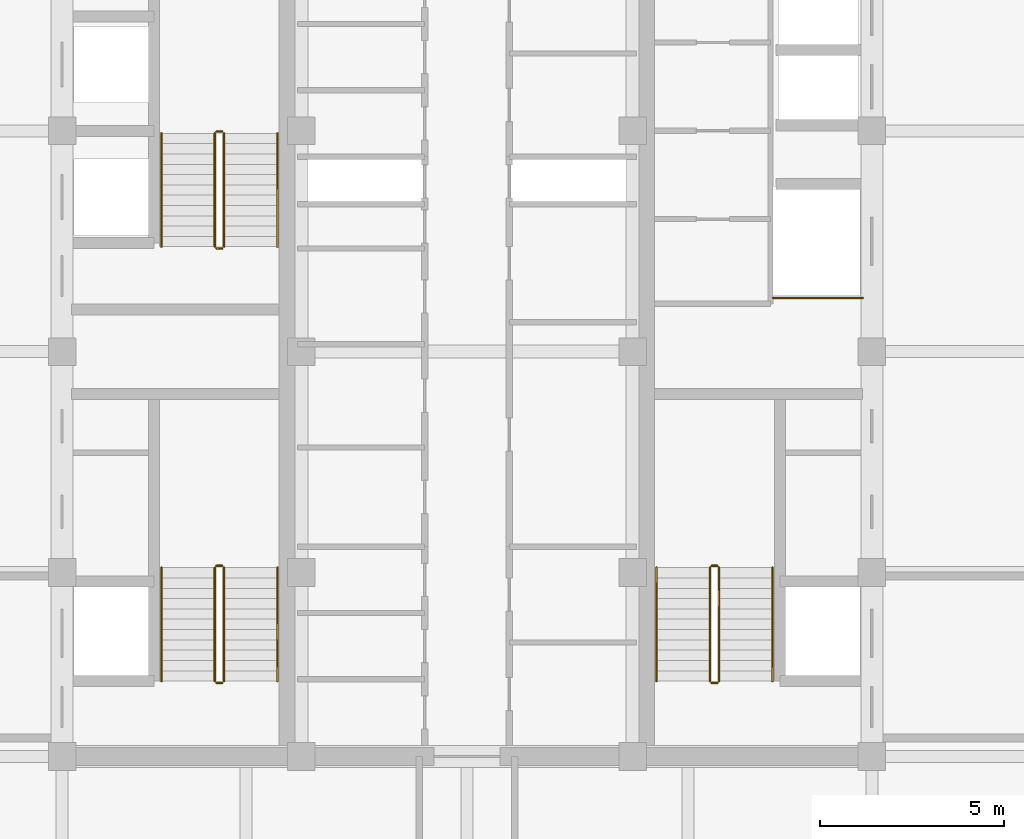
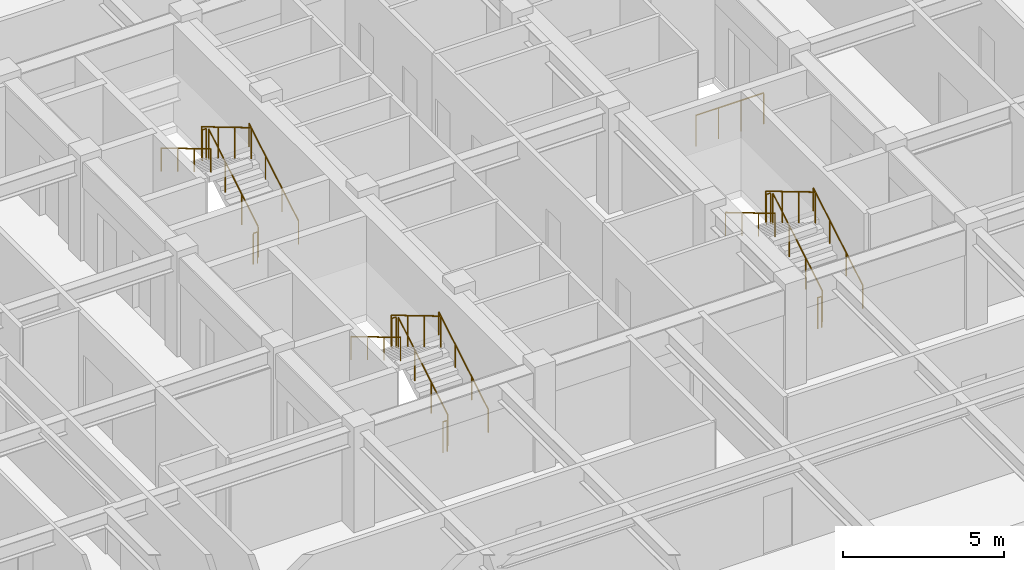
# One storey, part 29 of 29: 19 railings.
"""IFC4 building model written with IfcOpenShell, lengths in metres."""

from ifc_helpers import new_model, si_unit, direction, frame, origin, origin_2d, place, context, subcontext, project, spatial, circle, extrude, source, transform, mapped, material, type_object, element, save


model = new_model("IFC4")

# Units and contexts
model_context = context("Model", 3, precision=1e-05, world=origin(), true_north=direction((0.0, 1.0)))
body_context = subcontext(model_context, "Body", "Model", "MODEL_VIEW")
ifc_project = project(units=[si_unit("LENGTHUNIT", "METRE"), si_unit("AREAUNIT", "SQUARE_METRE"), si_unit("VOLUMEUNIT", "CUBIC_METRE"), si_unit("PLANEANGLEUNIT", "RADIAN"), si_unit("MASSUNIT", "GRAM", prefix="KILO")], contexts=[model_context])

# Site, building, storey
site_placement = place(None, origin())
site = spatial("IfcSite", under=ifc_project, at=site_placement, CompositionType="ELEMENT")
building_placement = place(site_placement, origin())
building = spatial("IfcBuilding", under=site, at=building_placement, Name="Khorayat Bourse Tower", CompositionType="ELEMENT")
storey_placement = place(building_placement, frame((0.0, 0.0, 366.300048828125)))
storey = spatial("IfcBuildingStorey", under=building, at=storey_placement, Name="L87", CompositionType="ELEMENT", Elevation=366.300048828125)

# Railings
ifc_material_1 = material(Name="Powder-coated steel balustrade", Category="steel")
railing_type_1 = type_object("IfcRailingType", Name="RLG-GUARD-1200", PredefinedType="GUARDRAIL", material=ifc_material_1)
shared_shape_1 = source(origin(), body_context, "Body", "SweptSolid", [
    extrude(circle(Radius=0.02392578125, at=origin_2d()), frame((0.0, 0.0, 1.17578125), z_axis=(-1.0, 0.0, 0.0), x_axis=(0.0, -1.0, 0.0)), (0.0, 0.0, 1.0), 0.150146484375),
    extrude(circle(Radius=0.02099609375, at=origin_2d()), origin(), (0.0, 0.0, 1.0), 1.15185546875),
    extrude(circle(Radius=0.02099609375, at=origin_2d()), frame((-0.150146484375, 0.0, 0.0)), (0.0, 0.0, 1.0), 1.15185546875),
])
for number, where, name in (
    (1, (-6.64990234375, -5.820068359375, 2.0), "L87 ST-1 stair guard 2"),
    (2, (-6.64990234375, -9.0, 0.0), "L87 ST-1 stair guard 4"),
    (3, (-6.64990234375, 5.97998046875, 2.0), "L87 ST-2 stair guard 2"),
    (4, (-6.64990234375, 2.800048828125, 0.0), "L87 ST-2 stair guard 4"),
    (5, (6.800048828125, -5.820068359375, 2.0), "L87 ST-3 stair guard 2"),
    (6, (6.800048828125, -9.0, 0.0), "L87 ST-3 stair guard 4"),
):
    element("IfcRailing", number, at=place(storey_placement, frame(where)), inside=storey, type_object=railing_type_1, Name=name, PredefinedType="GUARDRAIL", context=body_context, shape_type="MappedRepresentation", body=[
        mapped(shared_shape_1, transform((0.0, 0.0, 0.0), scale=1.0)),
    ])
shared_shape_2 = source(origin(), body_context, "Body", "SweptSolid", [
    extrude(circle(Radius=0.02392578125, at=origin_2d()), frame((0.0, 0.0, 1.17578125), z_axis=(0.0, 0.859260807169, 0.511537745687), x_axis=(-1.0, 0.0, 0.0)), (0.0, 0.0, 1.0), 3.584228515625),
    extrude(circle(Radius=0.02099609375, at=origin_2d()), origin(), (0.0, 0.0, 1.0), 1.15185546875),
    extrude(circle(Radius=0.02099609375, at=origin_2d()), frame((0.0, 1.026611328125, 0.611083984375)), (0.0, 0.0, 1.0), 1.15185546875),
    extrude(circle(Radius=0.02099609375, at=origin_2d()), frame((0.0, 2.05322265625, 1.222412109375)), (0.0, 0.0, 1.0), 1.15185546875),
    extrude(circle(Radius=0.02099609375, at=origin_2d()), frame((0.0, 3.079833984375, 1.83349609375)), (0.0, 0.0, 1.0), 1.15185546875),
])
for number, where, name in (
    (7, (-6.60009765625, -8.949951171875, 0.16650390625), "L87 ST-1 stair guard 1"),
    (8, (-6.60009765625, 2.85009765625, 0.16650390625), "L87 ST-2 stair guard 1"),
    (9, (6.85009765625, -8.949951171875, 0.16650390625), "L87 ST-3 stair guard 1"),
):
    element("IfcRailing", number, at=place(storey_placement, frame(where)), inside=storey, type_object=railing_type_1, Name=name, PredefinedType="GUARDRAIL", context=body_context, shape_type="MappedRepresentation", body=[
        mapped(shared_shape_2, transform((0.0, 0.0, 0.0), scale=1.0)),
    ])
shared_shape_3 = source(origin(), body_context, "Body", "SweptSolid", [
    extrude(circle(Radius=0.02392578125, at=origin_2d()), frame((0.0, 0.0, 1.17578125), z_axis=(0.0, -0.859260807169, 0.511537745687), x_axis=(1.0, 0.0, 0.0)), (0.0, 0.0, 1.0), 3.584228515625),
    extrude(circle(Radius=0.02099609375, at=origin_2d()), origin(), (0.0, 0.0, 1.0), 1.15185546875),
    extrude(circle(Radius=0.02099609375, at=origin_2d()), frame((0.0, -1.026611328125, 0.611083984375)), (0.0, 0.0, 1.0), 1.15185546875),
    extrude(circle(Radius=0.02099609375, at=origin_2d()), frame((0.0, -2.05322265625, 1.222412109375)), (0.0, 0.0, 1.0), 1.15185546875),
    extrude(circle(Radius=0.02099609375, at=origin_2d()), frame((0.0, -3.079833984375, 1.83349609375)), (0.0, 0.0, 1.0), 1.15185546875),
])
for number, where, name in (
    (10, (-6.85009765625, -5.8701171875, 2.16650390625), "L87 ST-1 stair guard 3"),
    (11, (-6.85009765625, 5.929931640625, 2.16650390625), "L87 ST-2 stair guard 3"),
    (12, (6.60009765625, -5.8701171875, 2.16650390625), "L87 ST-3 stair guard 3"),
):
    element("IfcRailing", number, at=place(storey_placement, frame(where)), inside=storey, type_object=railing_type_1, Name=name, PredefinedType="GUARDRAIL", context=body_context, shape_type="MappedRepresentation", body=[
        mapped(shared_shape_3, transform((0.0, 0.0, 0.0), scale=1.0)),
    ])
ifc_material_2 = material(Name="Brushed bronze stainless-steel handrail", Category="steel")
railing_type_2 = type_object("IfcRailingType", Name="RLG-HAND-900", PredefinedType="HANDRAIL", material=ifc_material_2)
shared_shape_4 = source(origin(), body_context, "Body", "SweptSolid", [
    extrude(circle(Radius=0.02392578125, at=origin_2d()), frame((0.0, 0.0, 0.8759765625), z_axis=(0.0, 0.859260807169, 0.511537745687), x_axis=(-1.0, 0.0, 0.0)), (0.0, 0.0, 1.0), 3.584228515625),
    extrude(circle(Radius=0.02099609375, at=origin_2d()), origin(), (0.0, 0.0, 1.0), 0.851806640625),
    extrude(circle(Radius=0.02099609375, at=origin_2d()), frame((0.0, 1.026611328125, 0.611083984375)), (0.0, 0.0, 1.0), 0.851806640625),
    extrude(circle(Radius=0.02099609375, at=origin_2d()), frame((0.0, 2.05322265625, 1.222412109375)), (0.0, 0.0, 1.0), 0.851806640625),
    extrude(circle(Radius=0.02099609375, at=origin_2d()), frame((0.0, 3.079833984375, 1.83349609375)), (0.0, 0.0, 1.0), 0.851806640625),
])
for number, where, name in (
    (13, (-5.14990234375, -8.949951171875, 0.16650390625), "L87 ST-1 stair handrail 1"),
    (14, (-5.14990234375, 2.85009765625, 0.16650390625), "L87 ST-2 stair handrail 1"),
    (15, (8.300048828125, -8.949951171875, 0.16650390625), "L87 ST-3 stair handrail 1"),
):
    element("IfcRailing", number, at=place(storey_placement, frame(where)), inside=storey, type_object=railing_type_2, Name=name, PredefinedType="HANDRAIL", context=body_context, shape_type="MappedRepresentation", body=[
        mapped(shared_shape_4, transform((0.0, 0.0, 0.0), scale=1.0)),
    ])
shared_shape_5 = source(origin(), body_context, "Body", "SweptSolid", [
    extrude(circle(Radius=0.02392578125, at=origin_2d()), frame((0.0, 0.0, 0.8759765625), z_axis=(0.0, -0.859260807169, 0.511537745687), x_axis=(1.0, 0.0, 0.0)), (0.0, 0.0, 1.0), 3.584228515625),
    extrude(circle(Radius=0.02099609375, at=origin_2d()), origin(), (0.0, 0.0, 1.0), 0.851806640625),
    extrude(circle(Radius=0.02099609375, at=origin_2d()), frame((0.0, -1.026611328125, 0.611083984375)), (0.0, 0.0, 1.0), 0.851806640625),
    extrude(circle(Radius=0.02099609375, at=origin_2d()), frame((0.0, -2.05322265625, 1.222412109375)), (0.0, 0.0, 1.0), 0.851806640625),
    extrude(circle(Radius=0.02099609375, at=origin_2d()), frame((0.0, -3.079833984375, 1.83349609375)), (0.0, 0.0, 1.0), 0.851806640625),
])
for number, where, name in (
    (16, (-8.300048828125, -5.8701171875, 2.16650390625), "L87 ST-1 stair handrail 2"),
    (17, (-8.300048828125, 5.929931640625, 2.16650390625), "L87 ST-2 stair handrail 2"),
    (18, (5.14990234375, -5.8701171875, 2.16650390625), "L87 ST-3 stair handrail 2"),
):
    element("IfcRailing", number, at=place(storey_placement, frame(where)), inside=storey, type_object=railing_type_2, Name=name, PredefinedType="HANDRAIL", context=body_context, shape_type="MappedRepresentation", body=[
        mapped(shared_shape_5, transform((0.0, 0.0, 0.0), scale=1.0)),
    ])
shared_shape_6 = source(origin(), body_context, "Body", "SweptSolid", [
    extrude(circle(Radius=0.02392578125, at=origin_2d()), frame((0.0, 0.0, 1.17578125), z_axis=(1.0, 0.0, 0.0), x_axis=(0.0, 1.0, 0.0)), (0.0, 0.0, 1.0), 2.429931640625),
    extrude(circle(Radius=0.02099609375, at=origin_2d()), origin(), (0.0, 0.0, 1.0), 1.15185546875),
    extrude(circle(Radius=0.02099609375, at=origin_2d()), frame((0.81005859375, 0.0, 0.0)), (0.0, 0.0, 1.0), 1.15185546875),
    extrude(circle(Radius=0.02099609375, at=origin_2d()), frame((1.619873046875, 0.0, 0.0)), (0.0, 0.0, 1.0), 1.15185546875),
    extrude(circle(Radius=0.02099609375, at=origin_2d()), frame((2.429931640625, 0.0, 0.0)), (0.0, 0.0, 1.0), 1.15185546875),
])
railing_placement = place(storey_placement, frame((8.320068359375, 1.4599609375, 0.0)))
element("IfcRailing", 19, at=railing_placement, inside=storey, type_object=railing_type_1, Name="L87 Goods Shaft Opening Guardrail", PredefinedType="GUARDRAIL", context=body_context, shape_type="MappedRepresentation", body=[
    mapped(shared_shape_6, transform((0.0, 0.0, 0.0), scale=1.0)),
])

save(model, "model.ifc")
